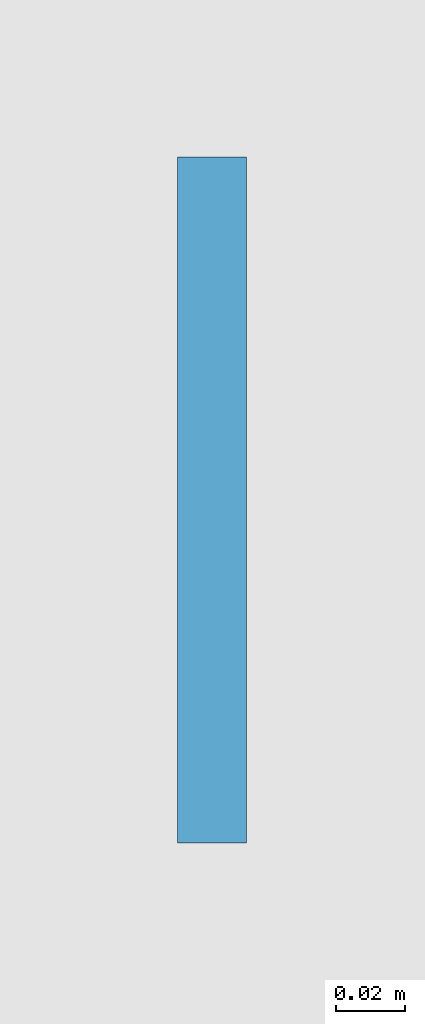
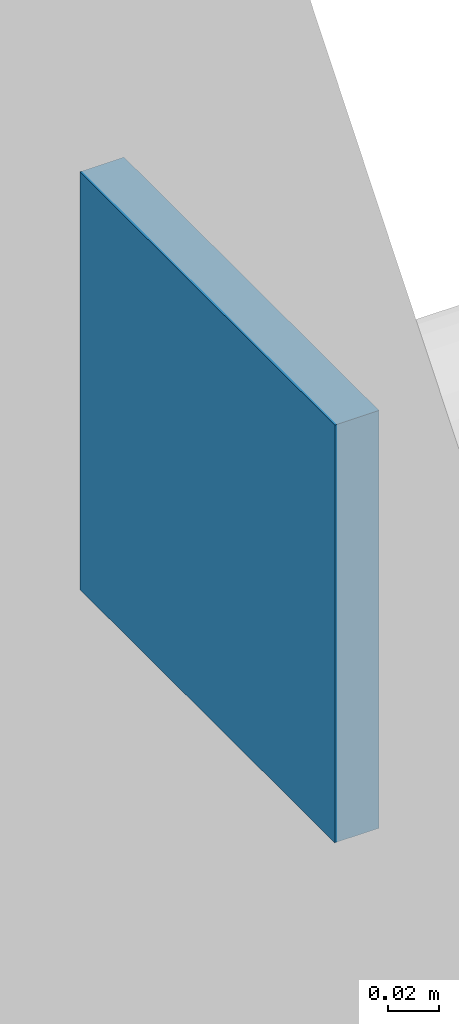
# One storey, part 80 of 115: 1 discrete accessory.
"""IFC4 building model written with IfcOpenShell, lengths in metres."""

import ifcopenshell
import ifcopenshell.guid

model = None  # the IFC model being written
_history = None  # IfcOwnerHistory: only IFC2X3 demands one
_inside = {}  # id of a spatial element -> (the spatial element, [elements in it])
_under = {}  # id of a project, library or spatial element -> (it, [spatial elements below it])
_declared = {}  # id of a project -> (the project, [libraries it declares])
_typed = {}  # id of a type object -> (the type object, [elements of that type])
_made_of = {}  # id of a material, layer set ... -> (it, [elements and type objects made of it])


def new_model(schema):
    """Start an empty IFC model of exactly this schema.

    Asked for "IFC4X3", IfcOpenShell would pick the latest addendum, in which some entities
    have other attributes; the version numbers below select the first issue.
    IFC2X3 requires an IfcOwnerHistory on every rooted entity: one is made here for all.
    """
    global model, _history
    if schema == "IFC4X3":
        model = ifcopenshell.file(schema_version=(4, 3, 0, 0))
    else:
        model = ifcopenshell.file(schema=schema)
    _inside.clear()
    _under.clear()
    _declared.clear()
    _typed.clear()
    _made_of.clear()
    _history = None
    if model.schema == "IFC2X3":
        org = make("IfcOrganization", Name="unknown")
        user = make(
            "IfcPersonAndOrganization",
            ThePerson=make("IfcPerson", FamilyName="unknown"),
            TheOrganization=org,
        )
        app = make(
            "IfcApplication",
            ApplicationDeveloper=org,
            Version="unknown",
            ApplicationFullName="unknown",
            ApplicationIdentifier="unknown",
        )
        _history = make(
            "IfcOwnerHistory",
            OwningUser=user,
            OwningApplication=app,
            ChangeAction="ADDED",
            CreationDate=0,
        )
    return model


def make(cls, **values):
    """One entity of the class cls with the attributes given. An attribute that is None is left unset."""
    return model.create_entity(
        cls, **{name: value for name, value in values.items() if value is not None}
    )


def rooted(cls, **values):
    """An entity with a GlobalId (a new one), such as an element, a storey or a relation."""
    return make(cls, GlobalId=ifcopenshell.guid.new(), OwnerHistory=_history, **values)


def si_unit(unit_type, name, prefix=None):
    """IfcSIUnit, for example si_unit("LENGTHUNIT", "METRE", prefix="MILLI")."""
    return make("IfcSIUnit", UnitType=unit_type, Prefix=prefix, Name=name)


def assignment(units):
    """IfcUnitAssignment: the units of a project."""
    return None if units is None else make("IfcUnitAssignment", Units=units)


def point(xyz):
    """IfcCartesianPoint."""
    return None if xyz is None else make("IfcCartesianPoint", Coordinates=xyz)


def direction(xyz):
    """IfcDirection."""
    return None if xyz is None else make("IfcDirection", DirectionRatios=xyz)


def frame(location, z_axis=None, x_axis=None):
    """IfcAxis2Placement3D, a coordinate frame: its origin and axes. An axis left out is left unset."""
    return make(
        "IfcAxis2Placement3D",
        Location=point(location),
        Axis=direction(z_axis),
        RefDirection=direction(x_axis),
    )


def frame_2d(location, x_axis=None):
    """IfcAxis2Placement2D, a coordinate frame in the plane: its origin and x axis."""
    return make(
        "IfcAxis2Placement2D", Location=point(location), RefDirection=direction(x_axis)
    )


def origin():
    """The frame at (0, 0, 0) with its axes left unset."""
    return frame((0.0, 0.0, 0.0))


def origin_2d():
    """The frame at (0, 0) in the plane with its x axis left unset."""
    return frame_2d((0.0, 0.0))


def place(relative_to, where):
    """IfcLocalPlacement: puts the frame where relative to a parent placement (None: the world)."""
    return make(
        "IfcLocalPlacement", PlacementRelTo=relative_to, RelativePlacement=where
    )


def context(
    kind, dimensions, precision=None, world=None, true_north=None, identifier=None
):
    """IfcGeometricRepresentationContext, for example the 3D "Model" context."""
    return make(
        "IfcGeometricRepresentationContext",
        ContextIdentifier=identifier,
        ContextType=kind,
        CoordinateSpaceDimension=dimensions,
        Precision=precision,
        WorldCoordinateSystem=world,
        TrueNorth=true_north,
    )


def subcontext(parent, identifier, kind, view, scale=None):
    """IfcGeometricRepresentationSubContext, for example "Body" below "Model"."""
    return make(
        "IfcGeometricRepresentationSubContext",
        ContextIdentifier=identifier,
        ContextType=kind,
        ParentContext=parent,
        TargetScale=scale,
        TargetView=view,
    )


def project(units=None, contexts=None):
    """IfcProject with its units and contexts."""
    return rooted(
        "IfcProject",
        Name="project",
        RepresentationContexts=contexts,
        UnitsInContext=assignment(units),
    )


def spatial(cls, under=None, at=None, **own):
    """A site, building, storey or space (cls), placed at a placement, below another one or the project."""
    s = rooted(cls, ObjectPlacement=at, **own)
    if under is not None:
        _under.setdefault(under.id(), (under, []))[1].append(s)
    return s


def profile(cls, at=None, kind="AREA", **sizes):
    """A parametric profile (cls). Its sizes go by their IFC names, for example OverallWidth=200.0."""
    return make(cls, ProfileType=kind, Position=at, **sizes)


def rectangle(**sizes):
    """IfcRectangleProfileDef."""
    return profile("IfcRectangleProfileDef", **sizes)


def extrude(swept, where, along, depth):
    """IfcExtrudedAreaSolid: the profile swept, set in the frame where, extruded along a direction by depth."""
    return make(
        "IfcExtrudedAreaSolid",
        SweptArea=swept,
        Position=where,
        ExtrudedDirection=direction(along),
        Depth=depth,
    )


def shape(context_of_items, identifier, shape_type, items):
    """IfcShapeRepresentation: the items that make up one representation, for example the "Body"."""
    return make(
        "IfcShapeRepresentation",
        ContextOfItems=context_of_items,
        RepresentationIdentifier=identifier,
        RepresentationType=shape_type,
        Items=items,
    )


def material(Name=None, Category=None):
    """IfcMaterial."""
    return make("IfcMaterial", Name=Name, Category=Category)


def layer(
    of_material, thickness, ventilated=None, Name=None, Category=None, Priority=None
):
    """IfcMaterialLayer: one layer of a wall or slab, of a material (None: an air gap)."""
    return make(
        "IfcMaterialLayer",
        Material=of_material,
        LayerThickness=thickness,
        IsVentilated=ventilated,
        Name=Name,
        Category=Category,
        Priority=Priority,
    )


def layer_set(layers, Name=None):
    """IfcMaterialLayerSet."""
    return make("IfcMaterialLayerSet", MaterialLayers=layers, LayerSetName=Name)


def made_of(thing, what):
    """Note that an element or type object is made of a material, layer set ...; save() writes the relation."""
    if what is not None:
        _made_of.setdefault(what.id(), (what, []))[1].append(thing)
    return thing


def type_object(cls, material=None, **own):
    """A type object (cls), such as IfcWallType, which elements share."""
    return made_of(rooted(cls, **own), material)


def element(
    cls,
    number,
    at=None,
    inside=None,
    cuts=None,
    type_object=None,
    material=None,
    context=None,
    identifier="Body",
    shape_type=None,
    held_by="IfcProductDefinitionShape",
    body=None,
    shapes=None,
    **own,
):
    """One element of the class cls, such as IfcWall. Its Tag is "e" and its number.

    at: its placement. inside: the storey or other place that contains it. cuts: it is an
    opening in that element (IfcRelVoidsElement). A single representation is given by context,
    identifier, shape_type and body (its items); several are given by shapes. held_by: the class
    of the entity that holds the representations. save() writes the other relations.
    """
    e = rooted(cls, Tag="e%d" % number, ObjectPlacement=at, **own)
    if body is not None:
        shapes = [shape(context, identifier, shape_type, body)]
    if shapes is not None:
        e.Representation = make(held_by, Representations=shapes)
    if inside is not None:
        _inside.setdefault(inside.id(), (inside, []))[1].append(e)
    if cuts is not None:
        rooted(
            "IfcRelVoidsElement", RelatingBuildingElement=cuts, RelatedOpeningElement=e
        )
    if type_object is not None:
        _typed.setdefault(type_object.id(), (type_object, []))[1].append(e)
    return made_of(e, material)


def aggregate(whole, parts):
    """IfcRelAggregates: a whole, such as a stair, and the parts it consists of."""
    return rooted("IfcRelAggregates", RelatingObject=whole, RelatedObjects=parts)


def save(model, path):
    """Write the relations noted so far, then the file.

    IfcRelAggregates (storeys below a building ...), IfcRelContainedInSpatialStructure (elements
    in a storey), IfcRelDefinesByType, IfcRelAssociatesMaterial and IfcRelDeclares: one each for
    every whole, place, type object, material and project.
    """
    for whole, parts in _under.values():
        aggregate(whole, parts)
    for where, things in _inside.values():
        rooted(
            "IfcRelContainedInSpatialStructure",
            RelatedElements=things,
            RelatingStructure=where,
        )
    for kind, things in _typed.values():
        rooted("IfcRelDefinesByType", RelatedObjects=things, RelatingType=kind)
    for what, things in _made_of.values():
        rooted("IfcRelAssociatesMaterial", RelatedObjects=things, RelatingMaterial=what)
    for by, libraries in _declared.values():
        rooted("IfcRelDeclares", RelatingContext=by, RelatedDefinitions=libraries)
    model.write(path)


model = new_model("IFC4")

# Units and contexts
model_context = context("Model", 3, precision=1e-05, world=origin(), true_north=direction((0.0, 1.0)))
body_context = subcontext(model_context, "Body", "Model", "MODEL_VIEW")
ifc_project = project(units=[si_unit("LENGTHUNIT", "METRE"), si_unit("AREAUNIT", "SQUARE_METRE"), si_unit("VOLUMEUNIT", "CUBIC_METRE"), si_unit("PLANEANGLEUNIT", "RADIAN"), si_unit("MASSUNIT", "GRAM", prefix="KILO")], contexts=[model_context])

# Site, building, storey
site_placement = place(None, origin())
site = spatial("IfcSite", under=ifc_project, at=site_placement, CompositionType="ELEMENT")
building_placement = place(site_placement, origin())
building = spatial("IfcBuilding", under=site, at=building_placement, Name="Ridgestep Commons", CompositionType="ELEMENT")
storey_placement = place(building_placement, frame((0.0, 0.0, 6.0)))
storey = spatial("IfcBuildingStorey", under=building, at=storey_placement, Name="L02", CompositionType="ELEMENT", Elevation=6.0)

# Discrete accessory
ifc_material = material(Name="Structural steel S355JR", Category="steel")
ifc_layer = layer(ifc_material, 0.02001953125)
ifc_layer_set = layer_set([ifc_layer], Name="Hall tie rod end plate 200 x 200 x 20")
discrete_accessory_type = type_object("IfcDiscreteAccessoryType", Name="Hall tie rod end plate 200 x 200 x 20", PredefinedType="BRACKET", material=ifc_layer_set)
discrete_accessory_placement = place(storey_placement, frame((114.81005859375, 59.199951171875, 2.4501953125), z_axis=(0.0, 0.0, 1.0), x_axis=(1.0, 0.0, 0.0)))
element("IfcDiscreteAccessory", 1, at=discrete_accessory_placement, inside=storey, type_object=discrete_accessory_type, Name="Hall tie rod end plate 5W", PredefinedType="BRACKET", context=body_context, shape_type="SweptSolid", body=[
    extrude(rectangle(XDim=0.02001953125, YDim=0.199951171875, at=origin_2d()), origin(), (0.0, 0.0, 1.0), 0.199951171875),
])

save(model, "model.ifc")
